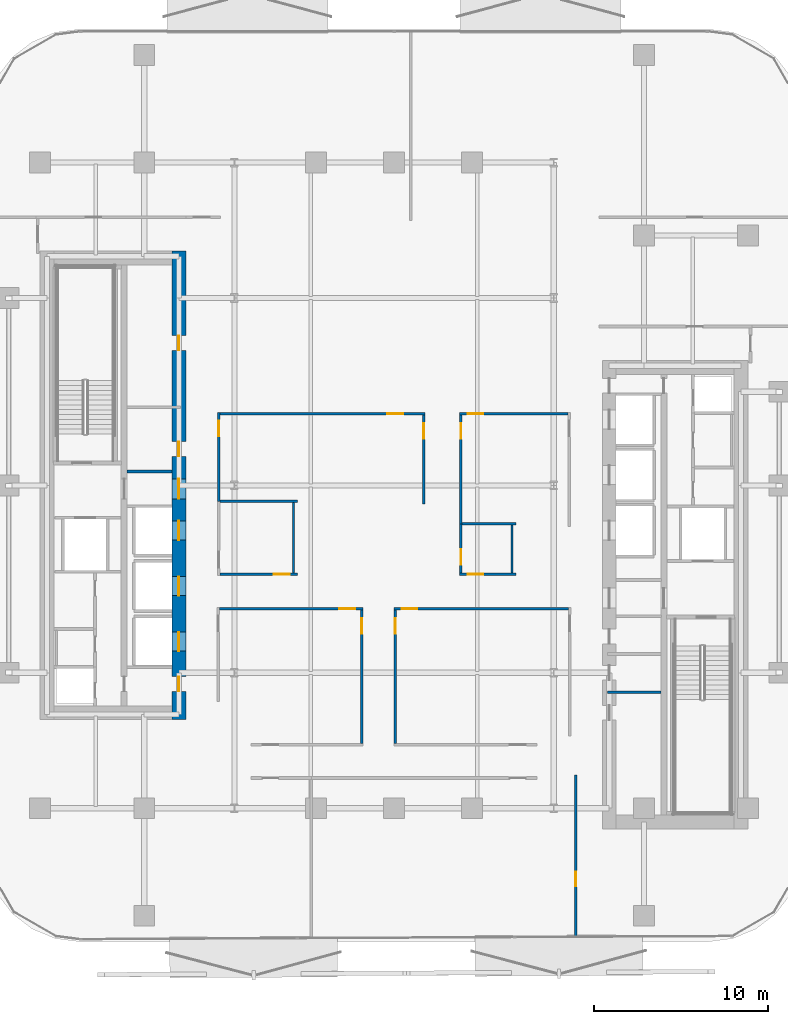
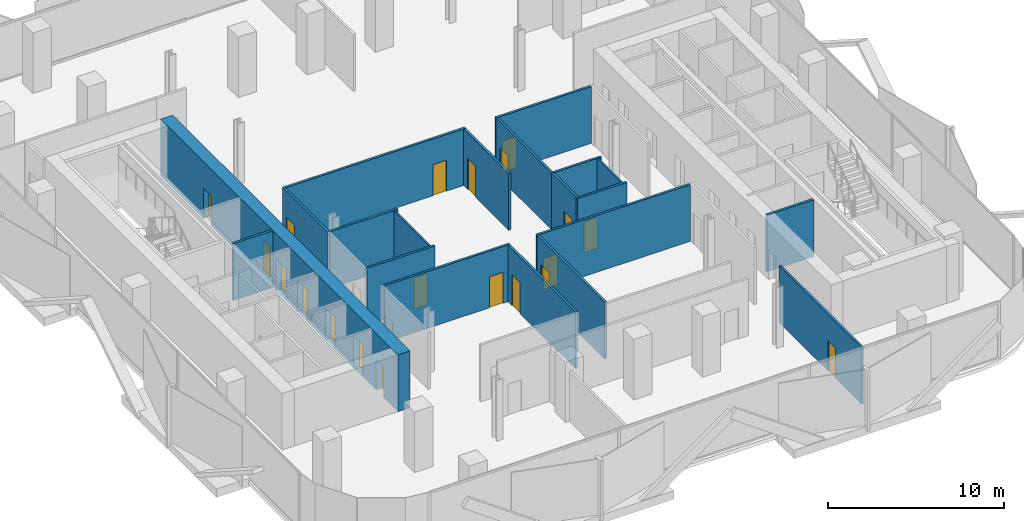
# One storey, part 4 of 15: 20 doors, 20 walls, 20 openings.
"""IFC4 building model written with IfcOpenShell, lengths in metres."""

from ifc_helpers import new_model, si_unit, direction, frame, frame_2d, origin, place, context, subcontext, project, spatial, rectangle, extrude, material, layer, layer_set, type_object, element, fill, save


model = new_model("IFC4")

# Units and contexts
model_context = context("Model", 3, precision=1e-05, world=origin(), true_north=direction((0.0, 1.0)))
body_context = subcontext(model_context, "Body", "Model", "MODEL_VIEW")
ifc_project = project(units=[si_unit("LENGTHUNIT", "METRE"), si_unit("AREAUNIT", "SQUARE_METRE"), si_unit("VOLUMEUNIT", "CUBIC_METRE"), si_unit("PLANEANGLEUNIT", "RADIAN"), si_unit("MASSUNIT", "GRAM", prefix="KILO")], contexts=[model_context])

# Site, building, storey
site_placement = place(None, origin())
site = spatial("IfcSite", under=ifc_project, at=site_placement, CompositionType="ELEMENT")
building_placement = place(site_placement, origin())
building = spatial("IfcBuilding", under=site, at=building_placement, Name="Khairoan Windgate Tower", CompositionType="ELEMENT")
storey_placement = place(building_placement, frame((0.0, 0.0, 114.199951171875)))
storey = spatial("IfcBuildingStorey", under=building, at=storey_placement, Name="L26", CompositionType="ELEMENT", Elevation=114.199951171875)

# Walls
ifc_material_1 = material(Name="Moisture-Resistant Gypsum Partition", Category="gypsum")
ifc_layer_1 = layer(ifc_material_1, 0.10009765625, Name="Moisture-Resistant Gypsum Partition")
ifc_layer_set_1 = layer_set([ifc_layer_1], Name="Moisture-Resistant Gypsum Partition")
wall_type_1 = type_object("IfcWallType", Name="Bathroom Wet-Area Partition Wall", PredefinedType="PARTITIONING", material=ifc_layer_set_1)
wall_1_placement = place(storey_placement, frame((6.800048828125, -2.2900390625, 0.0), z_axis=(0.0, 0.0, 1.0), x_axis=(0.0, -1.0, 0.0)))
element("IfcWall", 1, at=wall_1_placement, inside=storey, type_object=wall_type_1, Name="L26 Wet Room Side Wall 049", PredefinedType="PARTITIONING", context=body_context, shape_type="SweptSolid", body=[
    extrude(rectangle(XDim=2.7548828125, YDim=0.10009765625, at=frame_2d((1.37744140625, 0.0))), origin(), (0.0, 0.0, 1.0), 3.93994140625),
])
wall_2_placement = place(storey_placement, frame((-5.800048828125, -0.989990234375, 0.0), z_axis=(0.0, 0.0, 1.0), x_axis=(0.0, -1.0, 0.0)))
element("IfcWall", 2, at=wall_2_placement, inside=storey, type_object=wall_type_1, Name="L26 Wet Room Side Wall 050", PredefinedType="PARTITIONING", context=body_context, shape_type="SweptSolid", body=[
    extrude(rectangle(XDim=4.054931640625, YDim=0.10009765625, at=frame_2d((2.02734375, 0.0))), origin(), (0.0, 0.0, 1.0), 3.93994140625),
])
ifc_material_2 = material(Name="Concrete C40/50", Category="concrete")
ifc_layer_2 = layer(ifc_material_2, 0.159912109375, Name="Concrete C40/50")
ifc_layer_set_2 = layer_set([ifc_layer_2], Name="Concrete C40/50")
wall_type_2 = type_object("IfcWallType", Name="Core and Hoistway Enclosure Wall", PredefinedType="STANDARD", material=ifc_layer_set_2)
wall_3_placement = place(storey_placement, frame((-15.39990234375, 0.800048828125, 0.0), z_axis=(0.0, 0.0, 1.0), x_axis=(1.0, 0.0, 0.0)))
element("IfcWall", 3, at=wall_3_placement, inside=storey, type_object=wall_type_2, Name="L26 Core Shaft Wall SW-WV1-L26", PredefinedType="STANDARD", context=body_context, shape_type="SweptSolid", body=[
    extrude(rectangle(XDim=2.599853515625, YDim=0.159912109375, at=frame_2d((1.2998046875, 0.0))), origin(), (0.0, 0.0, 1.0), 3.93994140625),
])

# Wall, opening, door
ifc_material_3 = material(Name="Acoustic Fire-Rated Gypsum Partition", Category="gypsum")
ifc_layer_3 = layer(ifc_material_3, 0.139892578125, Name="Acoustic Fire-Rated Gypsum Partition")
ifc_layer_set_3 = layer_set([ifc_layer_3], Name="Acoustic Fire-Rated Gypsum Partition")
wall_type_3 = type_object("IfcWallType", Name="Inter-Tenancy Compartment Wall", PredefinedType="PARTITIONING", material=ifc_layer_set_3)
wall_4_placement = place(storey_placement, frame((10.471923828125, -26.015380859375, 0.0), z_axis=(0.0, 0.0, 1.0), x_axis=(0.0, 1.0, 0.0)))
wall_4 = element("IfcWall", 4, at=wall_4_placement, inside=storey, type_object=wall_type_3, Name="L26 Interior Partition 044", PredefinedType="PARTITIONING", context=body_context, shape_type="SweptSolid", body=[
    extrude(rectangle(XDim=9.33544921875, YDim=0.139892578125, at=frame_2d((4.667724609375, 0.0))), origin(), (0.0, 0.0, 1.0), 3.93994140625),
])
opening_1_placement = place(wall_4_placement, frame((2.91357421875, 0.0, 0.0)))
opening_1 = element("IfcOpeningElement", 5, at=opening_1_placement, cuts=wall_4, Name="Opening FD-SRV", PredefinedType="OPENING", context=body_context, shape_type="SweptSolid", body=[
    extrude(rectangle(XDim=0.85009765625, YDim=2.10009765625, at=frame_2d((0.425048828125, 1.050048828125))), frame((0.0, 0.079833984375, 0.0), z_axis=(0.0, -1.0, 0.0), x_axis=(1.0, 0.0, 0.0)), (0.0, 0.0, 1.0), 0.159912109375),
])
ifc_material_4 = material(Name="Steel S355", Category="steel")
door_type_1 = type_object("IfcDoorType", Name="Core Service and Riser Fire Door FD-SRV 850x2100", OperationType="NOTDEFINED", PredefinedType="DOOR", material=ifc_material_4)
door_1_placement = place(opening_1_placement, origin())
door_1 = element("IfcDoor", 6, at=door_1_placement, inside=storey, type_object=door_type_1, Name="L26 L26-45-L26-46 Door", OperationType="SINGLE_SWING_RIGHT", OverallHeight=2.10009765625, OverallWidth=0.85009765625, PredefinedType="DOOR", context=body_context, shape_type="SweptSolid", body=[
    extrude(rectangle(XDim=0.85009765625, YDim=2.10009765625, at=frame_2d((0.425048828125, 1.050048828125))), frame((0.0, 0.02490234375, 0.0), z_axis=(0.0, -1.0, 0.0), x_axis=(1.0, 0.0, 0.0)), (0.0, 0.0, 1.0), 0.050048828125),
])
fill(opening_1, door_1)

# Walls
wall_5_placement = place(storey_placement, frame((3.929931640625, -2.219970703125, 0.0), z_axis=(0.0, 0.0, 1.0), x_axis=(1.0, 0.0, 0.0)))
element("IfcWall", 7, at=wall_5_placement, inside=storey, type_object=wall_type_3, Name="L26 Interior Partition 045", PredefinedType="PARTITIONING", context=body_context, shape_type="SweptSolid", body=[
    extrude(rectangle(XDim=3.110107421875, YDim=0.139892578125, at=frame_2d((1.55517578125, 0.0))), origin(), (0.0, 0.0, 1.0), 3.93994140625),
])
wall_6_placement = place(storey_placement, frame((-10.02490234375, -0.919921875, 0.0), z_axis=(0.0, 0.0, 1.0), x_axis=(1.0, 0.0, 0.0)))
element("IfcWall", 8, at=wall_6_placement, inside=storey, type_object=wall_type_3, Name="L26 Interior Partition 046", PredefinedType="PARTITIONING", context=body_context, shape_type="SweptSolid", body=[
    extrude(rectangle(XDim=4.46484375, YDim=0.139892578125, at=frame_2d((2.232421875, 0.0))), origin(), (0.0, 0.0, 1.0), 3.93994140625),
])
ifc_material_5 = material(Name="Concrete C40/50", Category="concrete")
ifc_layer_4 = layer(ifc_material_5, 0.159912109375, Name="Concrete C40/50")
ifc_layer_set_4 = layer_set([ifc_layer_4], Name="Concrete C40/50")
wall_type_4 = type_object("IfcWallType", Name="Plant and Refuge Compartment Wall", PredefinedType="PARTITIONING", material=ifc_layer_set_4)
wall_7_placement = place(storey_placement, frame((12.31005859375, -11.919921875, 0.0), z_axis=(0.0, 0.0, 1.0), x_axis=(1.0, 0.0, 0.0)))
element("IfcWall", 9, at=wall_7_placement, inside=storey, type_object=wall_type_4, Name="L26 Interior Partition 012", PredefinedType="PARTITIONING", context=body_context, shape_type="SweptSolid", body=[
    extrude(rectangle(XDim=3.06494140625, YDim=0.159912109375, at=frame_2d((1.532470703125, 0.0))), origin(), (0.0, 0.0, 1.0), 3.93994140625),
])

# Wall, opening, door
ifc_material_6 = material(Name="Acoustic Fire-Rated Gypsum Partition", Category="gypsum")
ifc_layer_5 = layer(ifc_material_6, 0.14990234375, Name="Acoustic Fire-Rated Gypsum Partition")
ifc_layer_set_5 = layer_set([ifc_layer_5], Name="Acoustic Fire-Rated Gypsum Partition")
wall_type_5 = type_object("IfcWallType", Name="Rated Corridor Partition Wall", PredefinedType="PARTITIONING", material=ifc_layer_set_5)
wall_8_placement = place(storey_placement, frame((-10.10009765625, -0.919921875, 0.0), z_axis=(0.0, 0.0, 1.0), x_axis=(0.0, 1.0, 0.0)))
wall_8 = element("IfcWall", 10, at=wall_8_placement, inside=storey, type_object=wall_type_5, Name="L26 Interior Partition 016", PredefinedType="PARTITIONING", context=body_context, shape_type="SweptSolid", body=[
    extrude(rectangle(XDim=5.114990234375, YDim=0.14990234375, at=frame_2d((2.5576171875, 0.0))), origin(), (0.0, 0.0, 1.0), 3.93994140625),
])
opening_2_placement = place(wall_8_placement, frame((3.7548828125, 0.0, 0.0)))
opening_2 = element("IfcOpeningElement", 11, at=opening_2_placement, cuts=wall_8, Name="Opening FD-ENT", PredefinedType="OPENING", context=body_context, shape_type="SweptSolid", body=[
    extrude(rectangle(XDim=0.89990234375, YDim=2.14990234375, at=frame_2d((0.449951171875, 1.074951171875))), frame((0.0, 0.0849609375, 0.0), z_axis=(0.0, -1.0, 0.0), x_axis=(1.0, 0.0, 0.0)), (0.0, 0.0, 1.0), 0.169921875),
])
ifc_material_7 = material(Name="Timber Fire-Rated Core", Category="wood")
door_type_2 = type_object("IfcDoorType", Name="Unit and Office Fire Entrance Door FD-ENT 900x2150", OperationType="NOTDEFINED", PredefinedType="DOOR", material=ifc_material_7)
door_2_placement = place(opening_2_placement, origin())
door_2 = element("IfcDoor", 12, at=door_2_placement, inside=storey, type_object=door_type_2, Name="L26 L26-30-L26-50 Door", OperationType="SINGLE_SWING_RIGHT", OverallHeight=2.14990234375, OverallWidth=0.89990234375, PredefinedType="DOOR", context=body_context, shape_type="SweptSolid", body=[
    extrude(rectangle(XDim=0.89990234375, YDim=2.14990234375, at=frame_2d((0.449951171875, 1.074951171875))), frame((0.0, 0.02490234375, 0.0), z_axis=(0.0, -1.0, 0.0), x_axis=(1.0, 0.0, 0.0)), (0.0, 0.0, 1.0), 0.050048828125),
])
fill(opening_2, door_2)

wall_9_placement = place(storey_placement, frame((3.780029296875, 4.1201171875, 0.0), z_axis=(0.0, 0.0, 1.0), x_axis=(1.0, 0.0, 0.0)))
wall_9 = element("IfcWall", 13, at=wall_9_placement, inside=storey, type_object=wall_type_5, Name="L26 Interior Partition 020", PredefinedType="PARTITIONING", context=body_context, shape_type="SweptSolid", body=[
    extrude(rectangle(XDim=6.244873046875, YDim=0.14990234375, at=frame_2d((3.12255859375, 0.0))), origin(), (0.0, 0.0, 1.0), 3.93994140625),
])
opening_3_placement = place(wall_9_placement, frame((0.4599609375, 0.0, 0.0)))
opening_3 = element("IfcOpeningElement", 14, at=opening_3_placement, cuts=wall_9, Name="Opening FD-ENT", PredefinedType="OPENING", context=body_context, shape_type="SweptSolid", body=[
    extrude(rectangle(XDim=0.89990234375, YDim=2.14990234375, at=frame_2d((0.449951171875, 1.074951171875))), frame((0.0, 0.0849609375, 0.0), z_axis=(0.0, -1.0, 0.0), x_axis=(1.0, 0.0, 0.0)), (0.0, 0.0, 1.0), 0.169921875),
])
door_3_placement = place(opening_3_placement, origin())
door_3 = element("IfcDoor", 15, at=door_3_placement, inside=storey, type_object=door_type_2, Name="L26 L26-32-L26-48 Door", OperationType="SINGLE_SWING_RIGHT", OverallHeight=2.14990234375, OverallWidth=0.89990234375, PredefinedType="DOOR", context=body_context, shape_type="SweptSolid", body=[
    extrude(rectangle(XDim=0.89990234375, YDim=2.14990234375, at=frame_2d((0.449951171875, 1.074951171875))), frame((0.0, 0.02490234375, 0.0), z_axis=(0.0, -1.0, 0.0), x_axis=(1.0, 0.0, 0.0)), (0.0, 0.0, 1.0), 0.050048828125),
])
fill(opening_3, door_3)

wall_10_placement = place(storey_placement, frame((-10.02490234375, 4.1201171875, 0.0), z_axis=(0.0, 0.0, 1.0), x_axis=(1.0, 0.0, 0.0)))
wall_10 = element("IfcWall", 16, at=wall_10_placement, inside=storey, type_object=wall_type_5, Name="L26 Interior Partition 021", PredefinedType="PARTITIONING", context=body_context, shape_type="SweptSolid", body=[
    extrude(rectangle(XDim=11.81982421875, YDim=0.14990234375, at=frame_2d((5.909912109375, 0.0))), origin(), (0.0, 0.0, 1.0), 3.93994140625),
])
opening_4_placement = place(wall_10_placement, frame((9.643798828125, 0.0, 0.0)))
opening_4 = element("IfcOpeningElement", 17, at=opening_4_placement, cuts=wall_10, Name="Opening FD-ENT", PredefinedType="OPENING", context=body_context, shape_type="SweptSolid", body=[
    extrude(rectangle(XDim=0.89990234375, YDim=2.14990234375, at=frame_2d((0.449951171875, 1.074951171875))), frame((0.0, 0.0849609375, 0.0), z_axis=(0.0, -1.0, 0.0), x_axis=(1.0, 0.0, 0.0)), (0.0, 0.0, 1.0), 0.169921875),
])
door_4_placement = place(opening_4_placement, origin())
door_4 = element("IfcDoor", 18, at=door_4_placement, inside=storey, type_object=door_type_2, Name="L26 L26-32-L26-50 Door", OperationType="SINGLE_SWING_LEFT", OverallHeight=2.14990234375, OverallWidth=0.89990234375, PredefinedType="DOOR", context=body_context, shape_type="SweptSolid", body=[
    extrude(rectangle(XDim=0.89990234375, YDim=2.14990234375, at=frame_2d((0.449951171875, 1.074951171875))), frame((0.0, 0.02490234375, 0.0), z_axis=(0.0, -1.0, 0.0), x_axis=(1.0, 0.0, 0.0)), (0.0, 0.0, 1.0), 0.050048828125),
])
fill(opening_4, door_4)

wall_11_placement = place(storey_placement, frame((3.780029296875, -5.1201171875, 0.0), z_axis=(0.0, 0.0, 1.0), x_axis=(1.0, 0.0, 0.0)))
wall_11 = element("IfcWall", 19, at=wall_11_placement, inside=storey, type_object=wall_type_5, Name="L26 Interior Partition 022", PredefinedType="PARTITIONING", context=body_context, shape_type="SweptSolid", body=[
    extrude(rectangle(XDim=3.260009765625, YDim=0.14990234375, at=frame_2d((1.6298828125, 0.0))), origin(), (0.0, 0.0, 1.0), 3.93994140625),
])
opening_5_placement = place(wall_11_placement, frame((0.4599609375, 0.0, 0.0)))
opening_5 = element("IfcOpeningElement", 20, at=opening_5_placement, cuts=wall_11, Name="Opening FD-ENT", PredefinedType="OPENING", context=body_context, shape_type="SweptSolid", body=[
    extrude(rectangle(XDim=0.89990234375, YDim=2.14990234375, at=frame_2d((0.449951171875, 1.074951171875))), frame((0.0, 0.0849609375, 0.0), z_axis=(0.0, -1.0, 0.0), x_axis=(1.0, 0.0, 0.0)), (0.0, 0.0, 1.0), 0.169921875),
])
door_5_placement = place(opening_5_placement, origin())
door_5 = element("IfcDoor", 21, at=door_5_placement, inside=storey, type_object=door_type_2, Name="L26 L26-33-L26-47 Door", OperationType="SINGLE_SWING_RIGHT", OverallHeight=2.14990234375, OverallWidth=0.89990234375, PredefinedType="DOOR", context=body_context, shape_type="SweptSolid", body=[
    extrude(rectangle(XDim=0.89990234375, YDim=2.14990234375, at=frame_2d((0.449951171875, 1.074951171875))), frame((0.0, 0.02490234375, 0.0), z_axis=(0.0, -1.0, 0.0), x_axis=(1.0, 0.0, 0.0)), (0.0, 0.0, 1.0), 0.050048828125),
])
fill(opening_5, door_5)

wall_12_placement = place(storey_placement, frame((-10.02490234375, -5.1201171875, 0.0), z_axis=(0.0, 0.0, 1.0), x_axis=(1.0, 0.0, 0.0)))
wall_12 = element("IfcWall", 22, at=wall_12_placement, inside=storey, type_object=wall_type_5, Name="L26 Interior Partition 023", PredefinedType="PARTITIONING", context=body_context, shape_type="SweptSolid", body=[
    extrude(rectangle(XDim=4.46484375, YDim=0.14990234375, at=frame_2d((2.232421875, 0.0))), origin(), (0.0, 0.0, 1.0), 3.93994140625),
])
opening_6_placement = place(wall_12_placement, frame((3.10498046875, 0.0, 0.0)))
opening_6 = element("IfcOpeningElement", 23, at=opening_6_placement, cuts=wall_12, Name="Opening FD-ENT", PredefinedType="OPENING", context=body_context, shape_type="SweptSolid", body=[
    extrude(rectangle(XDim=0.89990234375, YDim=2.14990234375, at=frame_2d((0.449951171875, 1.074951171875))), frame((0.0, 0.0849609375, 0.0), z_axis=(0.0, -1.0, 0.0), x_axis=(1.0, 0.0, 0.0)), (0.0, 0.0, 1.0), 0.169921875),
])
door_6_placement = place(opening_6_placement, origin())
door_6 = element("IfcDoor", 24, at=door_6_placement, inside=storey, type_object=door_type_2, Name="L26 L26-33-L26-49 Door", OperationType="SINGLE_SWING_LEFT", OverallHeight=2.14990234375, OverallWidth=0.89990234375, PredefinedType="DOOR", context=body_context, shape_type="SweptSolid", body=[
    extrude(rectangle(XDim=0.89990234375, YDim=2.14990234375, at=frame_2d((0.449951171875, 1.074951171875))), frame((0.0, 0.02490234375, 0.0), z_axis=(0.0, -1.0, 0.0), x_axis=(1.0, 0.0, 0.0)), (0.0, 0.0, 1.0), 0.050048828125),
])
fill(opening_6, door_6)

wall_13_placement = place(storey_placement, frame((-10.050048828125, -7.114990234375, 0.0), z_axis=(0.0, 0.0, 1.0), x_axis=(1.0, 0.0, 0.0)))
wall_13 = element("IfcWall", 25, at=wall_13_placement, inside=storey, type_object=wall_type_5, Name="L26 Interior Partition 024", PredefinedType="PARTITIONING", context=body_context, shape_type="SweptSolid", body=[
    extrude(rectangle(XDim=8.26513671875, YDim=0.14990234375, at=frame_2d((4.132568359375, 0.0))), origin(), (0.0, 0.0, 1.0), 3.93994140625),
])
opening_7_placement = place(wall_13_placement, frame((6.905029296875, 0.0, 0.0)))
opening_7 = element("IfcOpeningElement", 26, at=opening_7_placement, cuts=wall_13, Name="Opening FD-ENT", PredefinedType="OPENING", context=body_context, shape_type="SweptSolid", body=[
    extrude(rectangle(XDim=0.89990234375, YDim=2.14990234375, at=frame_2d((0.449951171875, 1.074951171875))), frame((0.0, 0.0849609375, 0.0), z_axis=(0.0, -1.0, 0.0), x_axis=(1.0, 0.0, 0.0)), (0.0, 0.0, 1.0), 0.169921875),
])
door_7_placement = place(opening_7_placement, origin())
door_7 = element("IfcDoor", 27, at=door_7_placement, inside=storey, type_object=door_type_2, Name="L26 L26-33-L26-51 Door", OperationType="SINGLE_SWING_RIGHT", OverallHeight=2.14990234375, OverallWidth=0.89990234375, PredefinedType="DOOR", context=body_context, shape_type="SweptSolid", body=[
    extrude(rectangle(XDim=0.89990234375, YDim=2.14990234375, at=frame_2d((0.449951171875, 1.074951171875))), frame((0.0, 0.02490234375, 0.0), z_axis=(0.0, -1.0, 0.0), x_axis=(1.0, 0.0, 0.0)), (0.0, 0.0, 1.0), 0.050048828125),
])
fill(opening_7, door_7)

wall_14_placement = place(storey_placement, frame((-0.014892578125, -7.114990234375, 0.0), z_axis=(0.0, 0.0, 1.0), x_axis=(1.0, 0.0, 0.0)))
wall_14 = element("IfcWall", 28, at=wall_14_placement, inside=storey, type_object=wall_type_5, Name="L26 Interior Partition 025", PredefinedType="PARTITIONING", context=body_context, shape_type="SweptSolid", body=[
    extrude(rectangle(XDim=10.06494140625, YDim=0.14990234375, at=frame_2d((5.032470703125, 0.0))), origin(), (0.0, 0.0, 1.0), 3.93994140625),
])
opening_8_placement = place(wall_14_placement, frame((0.4599609375, 0.0, 0.0)))
opening_8 = element("IfcOpeningElement", 29, at=opening_8_placement, cuts=wall_14, Name="Opening FD-ENT", PredefinedType="OPENING", context=body_context, shape_type="SweptSolid", body=[
    extrude(rectangle(XDim=0.89990234375, YDim=2.14990234375, at=frame_2d((0.449951171875, 1.074951171875))), frame((0.0, 0.0849609375, 0.0), z_axis=(0.0, -1.0, 0.0), x_axis=(1.0, 0.0, 0.0)), (0.0, 0.0, 1.0), 0.169921875),
])
door_8_placement = place(opening_8_placement, origin())
door_8 = element("IfcDoor", 30, at=door_8_placement, inside=storey, type_object=door_type_2, Name="L26 L26-33-L26-52 Door", OperationType="SINGLE_SWING_LEFT", OverallHeight=2.14990234375, OverallWidth=0.89990234375, PredefinedType="DOOR", context=body_context, shape_type="SweptSolid", body=[
    extrude(rectangle(XDim=0.89990234375, YDim=2.14990234375, at=frame_2d((0.449951171875, 1.074951171875))), frame((0.0, 0.02490234375, 0.0), z_axis=(0.0, -1.0, 0.0), x_axis=(1.0, 0.0, 0.0)), (0.0, 0.0, 1.0), 0.050048828125),
])
fill(opening_8, door_8)

wall_15_placement = place(storey_placement, frame((3.85498046875, -5.044921875, 0.0), z_axis=(0.0, 0.0, 1.0), x_axis=(0.0, 1.0, 0.0)))
wall_15 = element("IfcWall", 31, at=wall_15_placement, inside=storey, type_object=wall_type_5, Name="L26 Interior Partition 026", PredefinedType="PARTITIONING", context=body_context, shape_type="SweptSolid", body=[
    extrude(rectangle(XDim=2.824951171875, YDim=0.14990234375, at=frame_2d((1.41259765625, 0.0))), origin(), (0.0, 0.0, 1.0), 3.93994140625),
])
opening_9_placement = place(wall_15_placement, frame((0.4599609375, 0.0, 0.0)))
opening_9 = element("IfcOpeningElement", 32, at=opening_9_placement, cuts=wall_15, Name="Opening FD-ENT", PredefinedType="OPENING", context=body_context, shape_type="SweptSolid", body=[
    extrude(rectangle(XDim=0.89990234375, YDim=2.14990234375, at=frame_2d((0.449951171875, 1.074951171875))), frame((0.0, 0.0849609375, 0.0), z_axis=(0.0, -1.0, 0.0), x_axis=(1.0, 0.0, 0.0)), (0.0, 0.0, 1.0), 0.169921875),
])
door_9_placement = place(opening_9_placement, origin())
door_9 = element("IfcDoor", 33, at=door_9_placement, inside=storey, type_object=door_type_2, Name="L26 L26-34-L26-47 Door", OperationType="SINGLE_SWING_RIGHT", OverallHeight=2.14990234375, OverallWidth=0.89990234375, PredefinedType="DOOR", context=body_context, shape_type="SweptSolid", body=[
    extrude(rectangle(XDim=0.89990234375, YDim=2.14990234375, at=frame_2d((0.449951171875, 1.074951171875))), frame((0.0, 0.02490234375, 0.0), z_axis=(0.0, -1.0, 0.0), x_axis=(1.0, 0.0, 0.0)), (0.0, 0.0, 1.0), 0.050048828125),
])
fill(opening_9, door_9)

wall_16_placement = place(storey_placement, frame((3.85498046875, -2.219970703125, 0.0), z_axis=(0.0, 0.0, 1.0), x_axis=(0.0, 1.0, 0.0)))
wall_16 = element("IfcWall", 34, at=wall_16_placement, inside=storey, type_object=wall_type_5, Name="L26 Interior Partition 027", PredefinedType="PARTITIONING", context=body_context, shape_type="SweptSolid", body=[
    extrude(rectangle(XDim=6.264892578125, YDim=0.14990234375, at=frame_2d((3.13232421875, 0.0))), origin(), (0.0, 0.0, 1.0), 3.93994140625),
])
opening_10_placement = place(wall_16_placement, frame((4.905029296875, 0.0, 0.0)))
opening_10 = element("IfcOpeningElement", 35, at=opening_10_placement, cuts=wall_16, Name="Opening FD-ENT", PredefinedType="OPENING", context=body_context, shape_type="SweptSolid", body=[
    extrude(rectangle(XDim=0.89990234375, YDim=2.14990234375, at=frame_2d((0.449951171875, 1.074951171875))), frame((0.0, 0.0849609375, 0.0), z_axis=(0.0, -1.0, 0.0), x_axis=(1.0, 0.0, 0.0)), (0.0, 0.0, 1.0), 0.169921875),
])
door_10_placement = place(opening_10_placement, origin())
door_10 = element("IfcDoor", 36, at=door_10_placement, inside=storey, type_object=door_type_2, Name="L26 L26-34-L26-48 Door", OperationType="SINGLE_SWING_LEFT", OverallHeight=2.14990234375, OverallWidth=0.89990234375, PredefinedType="DOOR", context=body_context, shape_type="SweptSolid", body=[
    extrude(rectangle(XDim=0.89990234375, YDim=2.14990234375, at=frame_2d((0.449951171875, 1.074951171875))), frame((0.0, 0.02490234375, 0.0), z_axis=(0.0, -1.0, 0.0), x_axis=(1.0, 0.0, 0.0)), (0.0, 0.0, 1.0), 0.050048828125),
])
fill(opening_10, door_10)

wall_17_placement = place(storey_placement, frame((1.719970703125, -1.080078125, 0.0), z_axis=(0.0, 0.0, 1.0), x_axis=(0.0, 1.0, 0.0)))
wall_17 = element("IfcWall", 37, at=wall_17_placement, inside=storey, type_object=wall_type_5, Name="L26 Interior Partition 028", PredefinedType="PARTITIONING", context=body_context, shape_type="SweptSolid", body=[
    extrude(rectangle(XDim=5.125, YDim=0.14990234375, at=frame_2d((2.5625, 0.0))), origin(), (0.0, 0.0, 1.0), 3.93994140625),
])
opening_11_placement = place(wall_17_placement, frame((3.764892578125, 0.0, 0.0)))
opening_11 = element("IfcOpeningElement", 38, at=opening_11_placement, cuts=wall_17, Name="Opening FD-ENT", PredefinedType="OPENING", context=body_context, shape_type="SweptSolid", body=[
    extrude(rectangle(XDim=0.89990234375, YDim=2.14990234375, at=frame_2d((0.449951171875, 1.074951171875))), frame((0.0, 0.0849609375, 0.0), z_axis=(0.0, -1.0, 0.0), x_axis=(1.0, 0.0, 0.0)), (0.0, 0.0, 1.0), 0.169921875),
])
door_11_placement = place(opening_11_placement, origin())
door_11 = element("IfcDoor", 39, at=door_11_placement, inside=storey, type_object=door_type_2, Name="L26 L26-34-L26-50 Door", OperationType="SINGLE_SWING_RIGHT", OverallHeight=2.14990234375, OverallWidth=0.89990234375, PredefinedType="DOOR", context=body_context, shape_type="SweptSolid", body=[
    extrude(rectangle(XDim=0.89990234375, YDim=2.14990234375, at=frame_2d((0.449951171875, 1.074951171875))), frame((0.0, 0.02490234375, 0.0), z_axis=(0.0, -1.0, 0.0), x_axis=(1.0, 0.0, 0.0)), (0.0, 0.0, 1.0), 0.050048828125),
])
fill(opening_11, door_11)

wall_18_placement = place(storey_placement, frame((-1.860107421875, -14.864990234375, 0.0), z_axis=(0.0, 0.0, 1.0), x_axis=(0.0, 1.0, 0.0)))
wall_18 = element("IfcWall", 40, at=wall_18_placement, inside=storey, type_object=wall_type_5, Name="L26 Interior Partition 037", PredefinedType="PARTITIONING", context=body_context, shape_type="SweptSolid", body=[
    extrude(rectangle(XDim=7.675048828125, YDim=0.14990234375, at=frame_2d((3.83740234375, 0.0))), origin(), (0.0, 0.0, 1.0), 3.93994140625),
])
opening_12_placement = place(wall_18_placement, frame((6.31494140625, 0.0, 0.0)))
opening_12 = element("IfcOpeningElement", 41, at=opening_12_placement, cuts=wall_18, Name="Opening FD-ENT", PredefinedType="OPENING", context=body_context, shape_type="SweptSolid", body=[
    extrude(rectangle(XDim=0.89990234375, YDim=2.14990234375, at=frame_2d((0.449951171875, 1.074951171875))), frame((0.0, 0.0849609375, 0.0), z_axis=(0.0, -1.0, 0.0), x_axis=(1.0, 0.0, 0.0)), (0.0, 0.0, 1.0), 0.169921875),
])
door_12_placement = place(opening_12_placement, origin())
door_12 = element("IfcDoor", 42, at=door_12_placement, inside=storey, type_object=door_type_2, Name="L26 L26-38-L26-51 Door", OperationType="SINGLE_SWING_LEFT", OverallHeight=2.14990234375, OverallWidth=0.89990234375, PredefinedType="DOOR", context=body_context, shape_type="SweptSolid", body=[
    extrude(rectangle(XDim=0.89990234375, YDim=2.14990234375, at=frame_2d((0.449951171875, 1.074951171875))), frame((0.0, 0.02490234375, 0.0), z_axis=(0.0, -1.0, 0.0), x_axis=(1.0, 0.0, 0.0)), (0.0, 0.0, 1.0), 0.050048828125),
])
fill(opening_12, door_12)

wall_19_placement = place(storey_placement, frame((0.06005859375, -14.864990234375, 0.0), z_axis=(0.0, 0.0, 1.0), x_axis=(0.0, 1.0, 0.0)))
wall_19 = element("IfcWall", 43, at=wall_19_placement, inside=storey, type_object=wall_type_5, Name="L26 Interior Partition 038", PredefinedType="PARTITIONING", context=body_context, shape_type="SweptSolid", body=[
    extrude(rectangle(XDim=7.675048828125, YDim=0.14990234375, at=frame_2d((3.83740234375, 0.0))), origin(), (0.0, 0.0, 1.0), 3.93994140625),
])
opening_13_placement = place(wall_19_placement, frame((6.31494140625, 0.0, 0.0)))
opening_13 = element("IfcOpeningElement", 44, at=opening_13_placement, cuts=wall_19, Name="Opening FD-ENT", PredefinedType="OPENING", context=body_context, shape_type="SweptSolid", body=[
    extrude(rectangle(XDim=0.89990234375, YDim=2.14990234375, at=frame_2d((0.449951171875, 1.074951171875))), frame((0.0, 0.0849609375, 0.0), z_axis=(0.0, -1.0, 0.0), x_axis=(1.0, 0.0, 0.0)), (0.0, 0.0, 1.0), 0.169921875),
])
door_13_placement = place(opening_13_placement, origin())
door_13 = element("IfcDoor", 45, at=door_13_placement, inside=storey, type_object=door_type_2, Name="L26 L26-38-L26-52 Door", OperationType="SINGLE_SWING_RIGHT", OverallHeight=2.14990234375, OverallWidth=0.89990234375, PredefinedType="DOOR", context=body_context, shape_type="SweptSolid", body=[
    extrude(rectangle(XDim=0.89990234375, YDim=2.14990234375, at=frame_2d((0.449951171875, 1.074951171875))), frame((0.0, 0.02490234375, 0.0), z_axis=(0.0, -1.0, 0.0), x_axis=(1.0, 0.0, 0.0)), (0.0, 0.0, 1.0), 0.050048828125),
])
fill(opening_13, door_13)

# Wall, openings, doors
ifc_material_8 = material(Name="Concrete C70/85", Category="concrete")
ifc_layer_6 = layer(ifc_material_8, 0.800048828125, Name="Concrete C70/85")
ifc_layer_set_6 = layer_set([ifc_layer_6], Name="Concrete C70/85")
wall_type_6 = type_object("IfcWallType", Name="Shear Wall CW-W1 800mm", PredefinedType="SHEAR", material=ifc_layer_set_6)
wall_20_placement = place(storey_placement, frame((-12.39990234375, -13.5, 0.0), z_axis=(0.0, 0.0, 1.0), x_axis=(0.0, 1.0, 0.0)))
wall_20 = element("IfcWall", 46, at=wall_20_placement, inside=storey, type_object=wall_type_6, Name="W Core East Shear Wall L26", PredefinedType="SHEAR", context=body_context, shape_type="SweptSolid", body=[
    extrude(rectangle(XDim=27.0, YDim=0.800048828125, at=frame_2d((13.5, 0.0))), origin(), (0.0, 0.0, 1.0), 3.93994140625),
])
opening_14_placement = place(wall_20_placement, frame((10.35009765625, 0.0, 0.0)))
opening_14 = element("IfcOpeningElement", 47, at=opening_14_placement, cuts=wall_20, Name="Opening LD-PL", PredefinedType="OPENING", context=body_context, shape_type="SweptSolid", body=[
    extrude(rectangle(XDim=1.10009765625, YDim=2.199951171875, at=frame_2d((0.550048828125, 1.10009765625))), frame((0.0, 0.409912109375, 0.0), z_axis=(0.0, -1.0, 0.0), x_axis=(1.0, 0.0, 0.0)), (0.0, 0.0, 1.0), 0.820068359375),
])
opening_15_placement = place(wall_20_placement, frame((7.14990234375, 0.0, 0.0)))
opening_15 = element("IfcOpeningElement", 48, at=opening_15_placement, cuts=wall_20, Name="Opening LD-PL", PredefinedType="OPENING", context=body_context, shape_type="SweptSolid", body=[
    extrude(rectangle(XDim=1.10009765625, YDim=2.199951171875, at=frame_2d((0.550048828125, 1.10009765625))), frame((0.0, 0.409912109375, 0.0), z_axis=(0.0, -1.0, 0.0), x_axis=(1.0, 0.0, 0.0)), (0.0, 0.0, 1.0), 0.820068359375),
])
opening_16_placement = place(wall_20_placement, frame((3.949951171875, 0.0, 0.0)))
opening_16 = element("IfcOpeningElement", 49, at=opening_16_placement, cuts=wall_20, Name="Opening LD-PL", PredefinedType="OPENING", context=body_context, shape_type="SweptSolid", body=[
    extrude(rectangle(XDim=1.10009765625, YDim=2.199951171875, at=frame_2d((0.550048828125, 1.10009765625))), frame((0.0, 0.409912109375, 0.0), z_axis=(0.0, -1.0, 0.0), x_axis=(1.0, 0.0, 0.0)), (0.0, 0.0, 1.0), 0.820068359375),
])
opening_17_placement = place(wall_20_placement, frame((15.175048828125, 0.0, 0.0)))
opening_17 = element("IfcOpeningElement", 50, at=opening_17_placement, cuts=wall_20, Name="Opening FD-SRV", PredefinedType="OPENING", context=body_context, shape_type="SweptSolid", body=[
    extrude(rectangle(XDim=0.85009765625, YDim=2.10009765625, at=frame_2d((0.425048828125, 1.050048828125))), frame((0.0, 0.409912109375, 0.0), z_axis=(0.0, -1.0, 0.0), x_axis=(1.0, 0.0, 0.0)), (0.0, 0.0, 1.0), 0.820068359375),
])
opening_18_placement = place(wall_20_placement, frame((21.27490234375, 0.0, 0.0)))
opening_18 = element("IfcOpeningElement", 51, at=opening_18_placement, cuts=wall_20, Name="Opening FD-SRV", PredefinedType="OPENING", context=body_context, shape_type="SweptSolid", body=[
    extrude(rectangle(XDim=0.85009765625, YDim=2.10009765625, at=frame_2d((0.425048828125, 1.050048828125))), frame((0.0, 0.409912109375, 0.0), z_axis=(0.0, -1.0, 0.0), x_axis=(1.0, 0.0, 0.0)), (0.0, 0.0, 1.0), 0.820068359375),
])
opening_19_placement = place(wall_20_placement, frame((12.72509765625, 0.0, 0.0)))
opening_19 = element("IfcOpeningElement", 52, at=opening_19_placement, cuts=wall_20, Name="Opening FD-FFL", PredefinedType="OPENING", context=body_context, shape_type="SweptSolid", body=[
    extrude(rectangle(XDim=1.14990234375, YDim=2.199951171875, at=frame_2d((0.574951171875, 1.10009765625))), frame((0.0, 0.409912109375, 0.0), z_axis=(0.0, -1.0, 0.0), x_axis=(1.0, 0.0, 0.0)), (0.0, 0.0, 1.0), 0.820068359375),
])
opening_20_placement = place(wall_20_placement, frame((1.625, 0.0, 0.0)))
opening_20 = element("IfcOpeningElement", 53, at=opening_20_placement, cuts=wall_20, Name="Opening FD-SRV", PredefinedType="OPENING", context=body_context, shape_type="SweptSolid", body=[
    extrude(rectangle(XDim=0.85009765625, YDim=2.10009765625, at=frame_2d((0.425048828125, 1.050048828125))), frame((0.0, 0.409912109375, 0.0), z_axis=(0.0, -1.0, 0.0), x_axis=(1.0, 0.0, 0.0)), (0.0, 0.0, 1.0), 0.820068359375),
])
door_14_placement = place(opening_17_placement, origin())
door_14 = element("IfcDoor", 54, at=door_14_placement, inside=storey, type_object=door_type_1, Name="L26 Upper Core Room Door B1-1", OperationType="SINGLE_SWING_LEFT", OverallHeight=2.10009765625, OverallWidth=0.85009765625, PredefinedType="DOOR", context=body_context, shape_type="SweptSolid", body=[
    extrude(rectangle(XDim=0.85009765625, YDim=2.10009765625, at=frame_2d((0.425048828125, 1.050048828125))), frame((0.0, 0.02490234375, 0.0), z_axis=(0.0, -1.0, 0.0), x_axis=(1.0, 0.0, 0.0)), (0.0, 0.0, 1.0), 0.050048828125),
])
fill(opening_17, door_14)
door_15_placement = place(opening_18_placement, origin())
door_15 = element("IfcDoor", 55, at=door_15_placement, inside=storey, type_object=door_type_1, Name="L26 Upper Core Room Door B1-2", OperationType="SINGLE_SWING_RIGHT", OverallHeight=2.10009765625, OverallWidth=0.85009765625, PredefinedType="DOOR", context=body_context, shape_type="SweptSolid", body=[
    extrude(rectangle(XDim=0.85009765625, YDim=2.10009765625, at=frame_2d((0.425048828125, 1.050048828125))), frame((0.0, 0.02490234375, 0.0), z_axis=(0.0, -1.0, 0.0), x_axis=(1.0, 0.0, 0.0)), (0.0, 0.0, 1.0), 0.050048828125),
])
fill(opening_18, door_15)
door_16_placement = place(opening_20_placement, origin())
door_16 = element("IfcDoor", 56, at=door_16_placement, inside=storey, type_object=door_type_1, Name="L26 West Core Service Vestibule Outer Door", OperationType="SINGLE_SWING_RIGHT", OverallHeight=2.10009765625, OverallWidth=0.85009765625, PredefinedType="DOOR", context=body_context, shape_type="SweptSolid", body=[
    extrude(rectangle(XDim=0.85009765625, YDim=2.10009765625, at=frame_2d((0.425048828125, 1.050048828125))), frame((0.0, 0.02490234375, 0.0), z_axis=(0.0, -1.0, 0.0), x_axis=(1.0, 0.0, 0.0)), (0.0, 0.0, 1.0), 0.050048828125),
])
fill(opening_20, door_16)
ifc_material_9 = material(Name="Steel S355", Category="steel")
door_type_3 = type_object("IfcDoorType", Name="Firefighting Lobby Fire Door FD-FFL 1150x2200", OperationType="NOTDEFINED", PredefinedType="DOOR", material=ifc_material_9)
door_17_placement = place(opening_19_placement, origin())
door_17 = element("IfcDoor", 57, at=door_17_placement, inside=storey, type_object=door_type_3, Name="L26 West Core Vestibule Entry Door", OperationType="SINGLE_SWING_RIGHT", OverallHeight=2.199951171875, OverallWidth=1.14990234375, PredefinedType="DOOR", context=body_context, shape_type="SweptSolid", body=[
    extrude(rectangle(XDim=1.14990234375, YDim=2.199951171875, at=frame_2d((0.574951171875, 1.10009765625))), frame((0.0, 0.02490234375, 0.0), z_axis=(0.0, -1.0, 0.0), x_axis=(1.0, 0.0, 0.0)), (0.0, 0.0, 1.0), 0.050048828125),
])
fill(opening_19, door_17)
ifc_material_10 = material(Name="Anodised Bronze Aluminium 6063-T6", Category="aluminium")
door_type_4 = type_object("IfcDoorType", Name="Passenger Lift Sliding Landing Door LD-PL 1100x2200", OperationType="DOUBLE_DOOR_SLIDING", PredefinedType="DOOR", material=ifc_material_10)
door_18_placement = place(opening_14_placement, origin())
door_18 = element("IfcDoor", 58, at=door_18_placement, inside=storey, type_object=door_type_4, Name="L26 Lift PL4 Sliding Landing Door", OperationType="DOUBLE_DOOR_SLIDING", OverallHeight=2.199951171875, OverallWidth=1.10009765625, PredefinedType="DOOR", context=body_context, shape_type="SweptSolid", body=[
    extrude(rectangle(XDim=1.10009765625, YDim=2.199951171875, at=frame_2d((0.550048828125, 1.10009765625))), frame((0.0, 0.02490234375, 0.0), z_axis=(0.0, -1.0, 0.0), x_axis=(1.0, 0.0, 0.0)), (0.0, 0.0, 1.0), 0.050048828125),
])
fill(opening_14, door_18)
door_19_placement = place(opening_15_placement, origin())
door_19 = element("IfcDoor", 59, at=door_19_placement, inside=storey, type_object=door_type_4, Name="L26 Lift PL5 Sliding Landing Door", OperationType="DOUBLE_DOOR_SLIDING", OverallHeight=2.199951171875, OverallWidth=1.10009765625, PredefinedType="DOOR", context=body_context, shape_type="SweptSolid", body=[
    extrude(rectangle(XDim=1.10009765625, YDim=2.199951171875, at=frame_2d((0.550048828125, 1.10009765625))), frame((0.0, 0.02490234375, 0.0), z_axis=(0.0, -1.0, 0.0), x_axis=(1.0, 0.0, 0.0)), (0.0, 0.0, 1.0), 0.050048828125),
])
fill(opening_15, door_19)
door_20_placement = place(opening_16_placement, origin())
door_20 = element("IfcDoor", 60, at=door_20_placement, inside=storey, type_object=door_type_4, Name="L26 Lift PL6 Sliding Landing Door", OperationType="DOUBLE_DOOR_SLIDING", OverallHeight=2.199951171875, OverallWidth=1.10009765625, PredefinedType="DOOR", context=body_context, shape_type="SweptSolid", body=[
    extrude(rectangle(XDim=1.10009765625, YDim=2.199951171875, at=frame_2d((0.550048828125, 1.10009765625))), frame((0.0, 0.02490234375, 0.0), z_axis=(0.0, -1.0, 0.0), x_axis=(1.0, 0.0, 0.0)), (0.0, 0.0, 1.0), 0.050048828125),
])
fill(opening_16, door_20)

save(model, "model.ifc")
